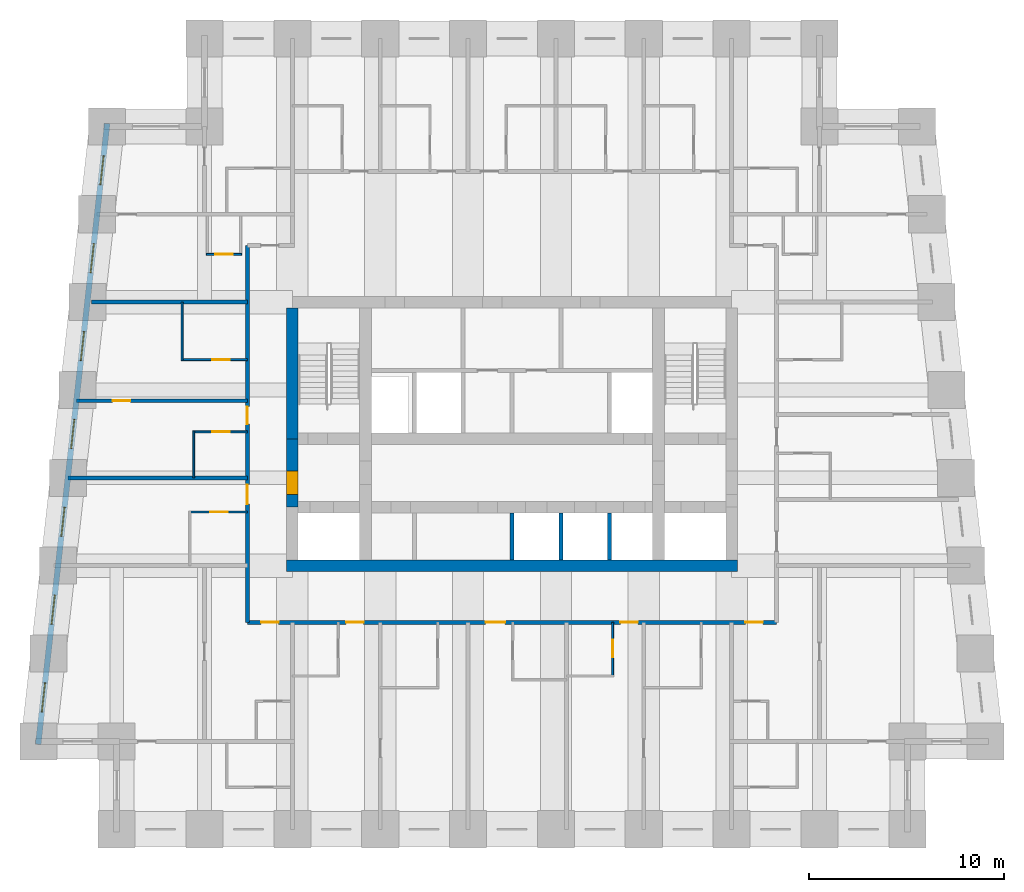
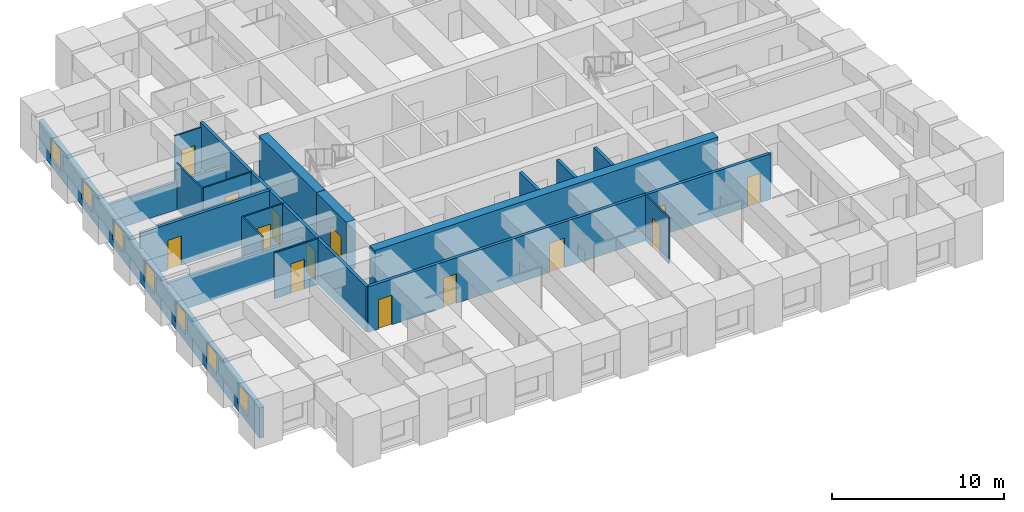
# One storey, part 3 of 8: 19 walls, 14 doors, 7 windows, 21 openings.
"""IFC4 building model written with IfcOpenShell, lengths in metres."""

import ifcopenshell
import ifcopenshell.guid

model = None  # the IFC model being written
_history = None  # IfcOwnerHistory: only IFC2X3 demands one
_inside = {}  # id of a spatial element -> (the spatial element, [elements in it])
_under = {}  # id of a project, library or spatial element -> (it, [spatial elements below it])
_declared = {}  # id of a project -> (the project, [libraries it declares])
_typed = {}  # id of a type object -> (the type object, [elements of that type])
_made_of = {}  # id of a material, layer set ... -> (it, [elements and type objects made of it])


def new_model(schema):
    """Start an empty IFC model of exactly this schema.

    Asked for "IFC4X3", IfcOpenShell would pick the latest addendum, in which some entities
    have other attributes; the version numbers below select the first issue.
    IFC2X3 requires an IfcOwnerHistory on every rooted entity: one is made here for all.
    """
    global model, _history
    if schema == "IFC4X3":
        model = ifcopenshell.file(schema_version=(4, 3, 0, 0))
    else:
        model = ifcopenshell.file(schema=schema)
    _inside.clear()
    _under.clear()
    _declared.clear()
    _typed.clear()
    _made_of.clear()
    _history = None
    if model.schema == "IFC2X3":
        org = make("IfcOrganization", Name="unknown")
        user = make(
            "IfcPersonAndOrganization",
            ThePerson=make("IfcPerson", FamilyName="unknown"),
            TheOrganization=org,
        )
        app = make(
            "IfcApplication",
            ApplicationDeveloper=org,
            Version="unknown",
            ApplicationFullName="unknown",
            ApplicationIdentifier="unknown",
        )
        _history = make(
            "IfcOwnerHistory",
            OwningUser=user,
            OwningApplication=app,
            ChangeAction="ADDED",
            CreationDate=0,
        )
    return model


def make(cls, **values):
    """One entity of the class cls with the attributes given. An attribute that is None is left unset."""
    return model.create_entity(
        cls, **{name: value for name, value in values.items() if value is not None}
    )


def rooted(cls, **values):
    """An entity with a GlobalId (a new one), such as an element, a storey or a relation."""
    return make(cls, GlobalId=ifcopenshell.guid.new(), OwnerHistory=_history, **values)


def si_unit(unit_type, name, prefix=None):
    """IfcSIUnit, for example si_unit("LENGTHUNIT", "METRE", prefix="MILLI")."""
    return make("IfcSIUnit", UnitType=unit_type, Prefix=prefix, Name=name)


def assignment(units):
    """IfcUnitAssignment: the units of a project."""
    return None if units is None else make("IfcUnitAssignment", Units=units)


def point(xyz):
    """IfcCartesianPoint."""
    return None if xyz is None else make("IfcCartesianPoint", Coordinates=xyz)


def direction(xyz):
    """IfcDirection."""
    return None if xyz is None else make("IfcDirection", DirectionRatios=xyz)


def frame(location, z_axis=None, x_axis=None):
    """IfcAxis2Placement3D, a coordinate frame: its origin and axes. An axis left out is left unset."""
    return make(
        "IfcAxis2Placement3D",
        Location=point(location),
        Axis=direction(z_axis),
        RefDirection=direction(x_axis),
    )


def frame_2d(location, x_axis=None):
    """IfcAxis2Placement2D, a coordinate frame in the plane: its origin and x axis."""
    return make(
        "IfcAxis2Placement2D", Location=point(location), RefDirection=direction(x_axis)
    )


def origin():
    """The frame at (0, 0, 0) with its axes left unset."""
    return frame((0.0, 0.0, 0.0))


def place(relative_to, where):
    """IfcLocalPlacement: puts the frame where relative to a parent placement (None: the world)."""
    return make(
        "IfcLocalPlacement", PlacementRelTo=relative_to, RelativePlacement=where
    )


def context(
    kind, dimensions, precision=None, world=None, true_north=None, identifier=None
):
    """IfcGeometricRepresentationContext, for example the 3D "Model" context."""
    return make(
        "IfcGeometricRepresentationContext",
        ContextIdentifier=identifier,
        ContextType=kind,
        CoordinateSpaceDimension=dimensions,
        Precision=precision,
        WorldCoordinateSystem=world,
        TrueNorth=true_north,
    )


def subcontext(parent, identifier, kind, view, scale=None):
    """IfcGeometricRepresentationSubContext, for example "Body" below "Model"."""
    return make(
        "IfcGeometricRepresentationSubContext",
        ContextIdentifier=identifier,
        ContextType=kind,
        ParentContext=parent,
        TargetScale=scale,
        TargetView=view,
    )


def project(units=None, contexts=None):
    """IfcProject with its units and contexts."""
    return rooted(
        "IfcProject",
        Name="project",
        RepresentationContexts=contexts,
        UnitsInContext=assignment(units),
    )


def spatial(cls, under=None, at=None, **own):
    """A site, building, storey or space (cls), placed at a placement, below another one or the project."""
    s = rooted(cls, ObjectPlacement=at, **own)
    if under is not None:
        _under.setdefault(under.id(), (under, []))[1].append(s)
    return s


def profile(cls, at=None, kind="AREA", **sizes):
    """A parametric profile (cls). Its sizes go by their IFC names, for example OverallWidth=200.0."""
    return make(cls, ProfileType=kind, Position=at, **sizes)


def rectangle(**sizes):
    """IfcRectangleProfileDef."""
    return profile("IfcRectangleProfileDef", **sizes)


def extrude(swept, where, along, depth):
    """IfcExtrudedAreaSolid: the profile swept, set in the frame where, extruded along a direction by depth."""
    return make(
        "IfcExtrudedAreaSolid",
        SweptArea=swept,
        Position=where,
        ExtrudedDirection=direction(along),
        Depth=depth,
    )


def shape(context_of_items, identifier, shape_type, items):
    """IfcShapeRepresentation: the items that make up one representation, for example the "Body"."""
    return make(
        "IfcShapeRepresentation",
        ContextOfItems=context_of_items,
        RepresentationIdentifier=identifier,
        RepresentationType=shape_type,
        Items=items,
    )


def material(Name=None, Category=None):
    """IfcMaterial."""
    return make("IfcMaterial", Name=Name, Category=Category)


def layer(
    of_material, thickness, ventilated=None, Name=None, Category=None, Priority=None
):
    """IfcMaterialLayer: one layer of a wall or slab, of a material (None: an air gap)."""
    return make(
        "IfcMaterialLayer",
        Material=of_material,
        LayerThickness=thickness,
        IsVentilated=ventilated,
        Name=Name,
        Category=Category,
        Priority=Priority,
    )


def layer_set(layers, Name=None):
    """IfcMaterialLayerSet."""
    return make("IfcMaterialLayerSet", MaterialLayers=layers, LayerSetName=Name)


def made_of(thing, what):
    """Note that an element or type object is made of a material, layer set ...; save() writes the relation."""
    if what is not None:
        _made_of.setdefault(what.id(), (what, []))[1].append(thing)
    return thing


def type_object(cls, material=None, **own):
    """A type object (cls), such as IfcWallType, which elements share."""
    return made_of(rooted(cls, **own), material)


def element(
    cls,
    number,
    at=None,
    inside=None,
    cuts=None,
    type_object=None,
    material=None,
    context=None,
    identifier="Body",
    shape_type=None,
    held_by="IfcProductDefinitionShape",
    body=None,
    shapes=None,
    **own,
):
    """One element of the class cls, such as IfcWall. Its Tag is "e" and its number.

    at: its placement. inside: the storey or other place that contains it. cuts: it is an
    opening in that element (IfcRelVoidsElement). A single representation is given by context,
    identifier, shape_type and body (its items); several are given by shapes. held_by: the class
    of the entity that holds the representations. save() writes the other relations.
    """
    e = rooted(cls, Tag="e%d" % number, ObjectPlacement=at, **own)
    if body is not None:
        shapes = [shape(context, identifier, shape_type, body)]
    if shapes is not None:
        e.Representation = make(held_by, Representations=shapes)
    if inside is not None:
        _inside.setdefault(inside.id(), (inside, []))[1].append(e)
    if cuts is not None:
        rooted(
            "IfcRelVoidsElement", RelatingBuildingElement=cuts, RelatedOpeningElement=e
        )
    if type_object is not None:
        _typed.setdefault(type_object.id(), (type_object, []))[1].append(e)
    return made_of(e, material)


def fill(opening, filler):
    """IfcRelFillsElement: the door or window that sits in an opening."""
    return rooted(
        "IfcRelFillsElement",
        RelatingOpeningElement=opening,
        RelatedBuildingElement=filler,
    )


def aggregate(whole, parts):
    """IfcRelAggregates: a whole, such as a stair, and the parts it consists of."""
    return rooted("IfcRelAggregates", RelatingObject=whole, RelatedObjects=parts)


def save(model, path):
    """Write the relations noted so far, then the file.

    IfcRelAggregates (storeys below a building ...), IfcRelContainedInSpatialStructure (elements
    in a storey), IfcRelDefinesByType, IfcRelAssociatesMaterial and IfcRelDeclares: one each for
    every whole, place, type object, material and project.
    """
    for whole, parts in _under.values():
        aggregate(whole, parts)
    for where, things in _inside.values():
        rooted(
            "IfcRelContainedInSpatialStructure",
            RelatedElements=things,
            RelatingStructure=where,
        )
    for kind, things in _typed.values():
        rooted("IfcRelDefinesByType", RelatedObjects=things, RelatingType=kind)
    for what, things in _made_of.values():
        rooted("IfcRelAssociatesMaterial", RelatedObjects=things, RelatingMaterial=what)
    for by, libraries in _declared.values():
        rooted("IfcRelDeclares", RelatingContext=by, RelatedDefinitions=libraries)
    model.write(path)


model = new_model("IFC4")

# Units and contexts
model_context = context("Model", 3, precision=1e-05, world=origin(), true_north=direction((0.0, 1.0)))
body_context = subcontext(model_context, "Body", "Model", "MODEL_VIEW")
ifc_project = project(units=[si_unit("LENGTHUNIT", "METRE"), si_unit("AREAUNIT", "SQUARE_METRE"), si_unit("VOLUMEUNIT", "CUBIC_METRE"), si_unit("PLANEANGLEUNIT", "RADIAN"), si_unit("MASSUNIT", "GRAM", prefix="KILO")], contexts=[model_context])

# Site, building, storey
site_placement = place(None, origin())
site = spatial("IfcSite", under=ifc_project, at=site_placement, CompositionType="ELEMENT")
building_placement = place(site_placement, origin())
building = spatial("IfcBuilding", under=site, at=building_placement, Name="Kilele Tower Hotel", CompositionType="ELEMENT")
storey_placement = place(building_placement, frame((0.0, 0.0, 96.89990234375)))
storey = spatial("IfcBuildingStorey", under=building, at=storey_placement, Name="L24", CompositionType="ELEMENT", Elevation=96.89990234375)

# Wall, opening, door
ifc_material_1 = material(Name="Moisture-resistant board")
ifc_layer_1 = layer(ifc_material_1, 0.10009765625)
ifc_layer_set_1 = layer_set([ifc_layer_1], Name="Moisture-resistant board")
wall_type_1 = type_object("IfcWallType", Name="Bathroom partition 100", PredefinedType="PLUMBINGWALL", material=ifc_layer_set_1)
wall_1_placement = place(storey_placement, frame((29.89990234375, 10.60009765625, 0.0), z_axis=(0.0, 0.0, 1.0), x_axis=(0.0, -1.0, 0.0)))
wall_1 = element("IfcWall", 1, at=wall_1_placement, inside=storey, type_object=wall_type_1, Name="Bathroom partition 100 L24", PredefinedType="PLUMBINGWALL", context=body_context, shape_type="SweptSolid", body=[
    extrude(rectangle(XDim=2.800048828125, YDim=0.10009765625, at=frame_2d((1.39990234375, 0.0))), origin(), (0.0, 0.0, 1.0), 3.25),
])
opening_1_placement = place(wall_1_placement, frame((0.89990234375, 0.0, 0.0)))
opening_1 = element("IfcOpeningElement", 2, at=opening_1_placement, cuts=wall_1, Name="Opening D2A", PredefinedType="OPENING", context=body_context, shape_type="SweptSolid", body=[
    extrude(rectangle(XDim=0.89990234375, YDim=2.10009765625, at=frame_2d((0.449951171875, 1.050048828125))), frame((0.0, 0.06005859375, 0.0), z_axis=(0.0, -1.0, 0.0), x_axis=(1.0, 0.0, 0.0)), (0.0, 0.0, 1.0), 0.1201171875),
])
ifc_material_2 = material(Name="Timber door leaf in hardwood frame", Category="wood")
door_type_1 = type_object("IfcDoorType", Name="Bathroom door 900", OperationType="SINGLE_SWING_LEFT", PredefinedType="DOOR", material=ifc_material_2)
door_1_placement = place(opening_1_placement, origin())
door_1 = element("IfcDoor", 3, at=door_1_placement, inside=storey, type_object=door_type_1, Name="Bathroom door 2404B", OperationType="SINGLE_SWING_LEFT", OverallHeight=2.10009765625, OverallWidth=0.89990234375, PredefinedType="DOOR", context=body_context, shape_type="SweptSolid", body=[
    extrude(rectangle(XDim=0.89990234375, YDim=2.10009765625, at=frame_2d((0.449951171875, 1.050048828125))), frame((0.0, 0.02490234375, 0.0), z_axis=(0.0, -1.0, 0.0), x_axis=(1.0, 0.0, 0.0)), (0.0, 0.0, 1.0), 0.050048828125),
])
fill(opening_1, door_1)

wall_2_placement = place(storey_placement, frame((11.199951171875, 16.25, 0.0), z_axis=(0.0, 0.0, 1.0), x_axis=(-1.0, 0.0, 0.0)))
wall_2 = element("IfcWall", 4, at=wall_2_placement, inside=storey, type_object=wall_type_1, Name="Bathroom partition 100 L24", PredefinedType="PLUMBINGWALL", context=body_context, shape_type="SweptSolid", body=[
    extrude(rectangle(XDim=3.0, YDim=0.10009765625, at=frame_2d((1.5, 0.0))), origin(), (0.0, 0.0, 1.0), 3.25),
])
opening_2_placement = place(wall_2_placement, frame((1.89990234375, 0.0, 0.0), z_axis=(0.0, 0.0, 1.0), x_axis=(-1.0, 0.0, 0.0)))
opening_2 = element("IfcOpeningElement", 5, at=opening_2_placement, cuts=wall_2, Name="Opening D2A", PredefinedType="OPENING", context=body_context, shape_type="SweptSolid", body=[
    extrude(rectangle(XDim=0.89990234375, YDim=2.10009765625, at=frame_2d((0.449951171875, 1.050048828125))), frame((0.0, 0.06005859375, 0.0), z_axis=(0.0, -1.0, 0.0), x_axis=(1.0, 0.0, 0.0)), (0.0, 0.0, 1.0), 0.1201171875),
])
door_2_placement = place(opening_2_placement, origin())
door_2 = element("IfcDoor", 6, at=door_2_placement, inside=storey, type_object=door_type_1, Name="Bathroom door 2414B", OperationType="SINGLE_SWING_RIGHT", OverallHeight=2.10009765625, OverallWidth=0.89990234375, PredefinedType="DOOR", context=body_context, shape_type="SweptSolid", body=[
    extrude(rectangle(XDim=0.89990234375, YDim=2.10009765625, at=frame_2d((0.449951171875, 1.050048828125))), frame((0.0, 0.02490234375, 0.0), z_axis=(0.0, -1.0, 0.0), x_axis=(1.0, 0.0, 0.0)), (0.0, 0.0, 1.0), 0.050048828125),
])
fill(opening_2, door_2)

# Wall
wall_3_placement = place(storey_placement, frame((8.449951171875, 18.0, 0.0), z_axis=(0.0, 0.0, 1.0), x_axis=(0.0, 1.0, 0.0)))
element("IfcWall", 7, at=wall_3_placement, inside=storey, type_object=wall_type_1, Name="Bathroom partition 100 L24", PredefinedType="PLUMBINGWALL", context=body_context, shape_type="SweptSolid", body=[
    extrude(rectangle(XDim=2.39990234375, YDim=0.10009765625, at=frame_2d((1.199951171875, 0.0))), origin(), (0.0, 0.0, 1.0), 3.25),
])

# Wall, opening, door
wall_4_placement = place(storey_placement, frame((11.199951171875, 20.35009765625, 0.0), z_axis=(0.0, 0.0, 1.0), x_axis=(-1.0, 0.0, 0.0)))
wall_4 = element("IfcWall", 8, at=wall_4_placement, inside=storey, type_object=wall_type_1, Name="Bathroom partition 100 L24", PredefinedType="PLUMBINGWALL", context=body_context, shape_type="SweptSolid", body=[
    extrude(rectangle(XDim=2.800048828125, YDim=0.10009765625, at=frame_2d((1.39990234375, 0.0))), origin(), (0.0, 0.0, 1.0), 3.25),
])
opening_3_placement = place(wall_4_placement, frame((1.7998046875, 0.0, 0.0), z_axis=(0.0, 0.0, 1.0), x_axis=(-1.0, 0.0, 0.0)))
opening_3 = element("IfcOpeningElement", 9, at=opening_3_placement, cuts=wall_4, Name="Opening D2A", PredefinedType="OPENING", context=body_context, shape_type="SweptSolid", body=[
    extrude(rectangle(XDim=0.89990234375, YDim=2.10009765625, at=frame_2d((0.449951171875, 1.050048828125))), frame((0.0, 0.06005859375, 0.0), z_axis=(0.0, -1.0, 0.0), x_axis=(1.0, 0.0, 0.0)), (0.0, 0.0, 1.0), 0.1201171875),
])
door_3_placement = place(opening_3_placement, origin())
door_3 = element("IfcDoor", 10, at=door_3_placement, inside=storey, type_object=door_type_1, Name="Bathroom door 2415B", OperationType="SINGLE_SWING_RIGHT", OverallHeight=2.10009765625, OverallWidth=0.89990234375, PredefinedType="DOOR", context=body_context, shape_type="SweptSolid", body=[
    extrude(rectangle(XDim=0.89990234375, YDim=2.10009765625, at=frame_2d((0.449951171875, 1.050048828125))), frame((0.0, 0.02490234375, 0.0), z_axis=(0.0, -1.0, 0.0), x_axis=(1.0, 0.0, 0.0)), (0.0, 0.0, 1.0), 0.050048828125),
])
fill(opening_3, door_3)

# Wall
wall_5_placement = place(storey_placement, frame((7.85009765625, 24.0, 0.0), z_axis=(0.0, 0.0, 1.0), x_axis=(0.0, 1.0, 0.0)))
element("IfcWall", 11, at=wall_5_placement, inside=storey, type_object=wall_type_1, Name="Bathroom partition 100 L24", PredefinedType="PLUMBINGWALL", context=body_context, shape_type="SweptSolid", body=[
    extrude(rectangle(XDim=3.0, YDim=0.10009765625, at=frame_2d((1.5, 0.0))), origin(), (0.0, 0.0, 1.0), 3.25),
])

# Wall, opening, door
wall_6_placement = place(storey_placement, frame((11.199951171875, 24.050048828125, 0.0), z_axis=(0.0, 0.0, 1.0), x_axis=(-1.0, 0.0, 0.0)))
wall_6 = element("IfcWall", 12, at=wall_6_placement, inside=storey, type_object=wall_type_1, Name="Bathroom partition 100 L24", PredefinedType="PLUMBINGWALL", context=body_context, shape_type="SweptSolid", body=[
    extrude(rectangle(XDim=3.39990234375, YDim=0.10009765625, at=frame_2d((1.699951171875, 0.0))), origin(), (0.0, 0.0, 1.0), 3.25),
])
opening_4_placement = place(wall_6_placement, frame((0.89990234375, 0.0, 0.0)))
opening_4 = element("IfcOpeningElement", 13, at=opening_4_placement, cuts=wall_6, Name="Opening D2A", PredefinedType="OPENING", context=body_context, shape_type="SweptSolid", body=[
    extrude(rectangle(XDim=0.89990234375, YDim=2.10009765625, at=frame_2d((0.449951171875, 1.050048828125))), frame((0.0, 0.06005859375, 0.0), z_axis=(0.0, -1.0, 0.0), x_axis=(1.0, 0.0, 0.0)), (0.0, 0.0, 1.0), 0.1201171875),
])
door_4_placement = place(opening_4_placement, origin())
door_4 = element("IfcDoor", 14, at=door_4_placement, inside=storey, type_object=door_type_1, Name="Bathroom door 2416B", OperationType="SINGLE_SWING_LEFT", OverallHeight=2.10009765625, OverallWidth=0.89990234375, PredefinedType="DOOR", context=body_context, shape_type="SweptSolid", body=[
    extrude(rectangle(XDim=0.89990234375, YDim=2.10009765625, at=frame_2d((0.449951171875, 1.050048828125))), frame((0.0, 0.02490234375, 0.0), z_axis=(0.0, -1.0, 0.0), x_axis=(1.0, 0.0, 0.0)), (0.0, 0.0, 1.0), 0.050048828125),
])
fill(opening_4, door_4)

wall_7_placement = place(storey_placement, frame((10.89990234375, 29.449951171875, 0.0), z_axis=(0.0, 0.0, 1.0), x_axis=(-1.0, 0.0, 0.0)))
wall_7 = element("IfcWall", 15, at=wall_7_placement, inside=storey, type_object=wall_type_1, Name="Bathroom partition 100 L24", PredefinedType="PLUMBINGWALL", context=body_context, shape_type="SweptSolid", body=[
    extrude(rectangle(XDim=1.7998046875, YDim=0.10009765625, at=frame_2d((0.89990234375, 0.0))), origin(), (0.0, 0.0, 1.0), 3.25),
])
opening_5_placement = place(wall_7_placement, frame((0.449951171875, 0.0, 0.0)))
opening_5 = element("IfcOpeningElement", 16, at=opening_5_placement, cuts=wall_7, Name="Opening D2A", PredefinedType="OPENING", context=body_context, shape_type="SweptSolid", body=[
    extrude(rectangle(XDim=0.89990234375, YDim=2.10009765625, at=frame_2d((0.449951171875, 1.050048828125))), frame((0.0, 0.06005859375, 0.0), z_axis=(0.0, -1.0, 0.0), x_axis=(1.0, 0.0, 0.0)), (0.0, 0.0, 1.0), 0.1201171875),
])
door_5_placement = place(opening_5_placement, origin())
door_5 = element("IfcDoor", 17, at=door_5_placement, inside=storey, type_object=door_type_1, Name="Bathroom door 2426P", OperationType="SINGLE_SWING_LEFT", OverallHeight=2.10009765625, OverallWidth=0.89990234375, PredefinedType="DOOR", context=body_context, shape_type="SweptSolid", body=[
    extrude(rectangle(XDim=0.89990234375, YDim=2.10009765625, at=frame_2d((0.449951171875, 1.050048828125))), frame((0.0, 0.02490234375, 0.0), z_axis=(0.0, -1.0, 0.0), x_axis=(1.0, 0.0, 0.0)), (0.0, 0.0, 1.0), 0.050048828125),
])
fill(opening_5, door_5)

# Walls
ifc_material_3 = material(Name="Concrete C60/75", Category="concrete")
ifc_layer_2 = layer(ifc_material_3, 0.60009765625)
ifc_layer_set_2 = layer_set([ifc_layer_2], Name="Concrete C60/75")
wall_type_2 = type_object("IfcWallType", Name="Core wall 600 C60/75", PredefinedType="SHEAR", material=ifc_layer_set_2)
wall_8_placement = place(storey_placement, frame((13.199951171875, 13.5, 0.0), z_axis=(0.0, 0.0, 1.0), x_axis=(1.0, 0.0, 0.0)))
element("IfcWall", 18, at=wall_8_placement, inside=storey, type_object=wall_type_2, Name="Core wall S L24", PredefinedType="SHEAR", context=body_context, shape_type="SweptSolid", body=[
    extrude(rectangle(XDim=23.10009765625, YDim=0.60009765625, at=frame_2d((11.550048828125, 0.0))), origin(), (0.0, 0.0, 1.0), 3.5),
])
wall_9_placement = place(storey_placement, frame((13.5, 26.699951171875, 0.0), z_axis=(0.0, 0.0, 1.0), x_axis=(0.0, -1.0, 0.0)))
element("IfcWall", 19, at=wall_9_placement, inside=storey, type_object=wall_type_2, Name="Core wall W1 L24", PredefinedType="SHEAR", context=body_context, shape_type="SweptSolid", body=[
    extrude(rectangle(XDim=6.699951171875, YDim=0.60009765625, at=frame_2d((3.35009765625, 0.0))), origin(), (0.0, 0.0, 1.0), 3.5),
])

# Wall, opening, door
wall_10_placement = place(storey_placement, frame((13.5, 20.0, 0.0), z_axis=(0.0, 0.0, 1.0), x_axis=(0.0, -1.0, 0.0)))
wall_10 = element("IfcWall", 20, at=wall_10_placement, inside=storey, type_object=wall_type_2, Name="Core wall W2 L24", PredefinedType="SHEAR", context=body_context, shape_type="SweptSolid", body=[
    extrude(rectangle(XDim=3.5, YDim=0.60009765625, at=frame_2d((1.75, 0.0))), origin(), (0.0, 0.0, 1.0), 3.5),
])
opening_6_placement = place(wall_10_placement, frame((1.64990234375, 0.0, 0.0)))
opening_6 = element("IfcOpeningElement", 21, at=opening_6_placement, cuts=wall_10, Name="Opening D4", PredefinedType="OPENING", context=body_context, shape_type="SweptSolid", body=[
    extrude(rectangle(XDim=1.199951171875, YDim=2.10009765625, at=frame_2d((0.60009765625, 1.050048828125))), frame((0.0, 0.31005859375, 0.0), z_axis=(0.0, -1.0, 0.0), x_axis=(1.0, 0.0, 0.0)), (0.0, 0.0, 1.0), 0.6201171875),
])
ifc_material_4 = material(Name="Timber door leaf in hardwood frame", Category="wood")
door_type_2 = type_object("IfcDoorType", Name="Firefighting lobby door 1200", OperationType="SINGLE_SWING_LEFT", PredefinedType="DOOR", material=ifc_material_4)
door_6_placement = place(opening_6_placement, origin())
door_6 = element("IfcDoor", 22, at=door_6_placement, inside=storey, type_object=door_type_2, Name="Lobby door L24", OperationType="SINGLE_SWING_RIGHT", OverallHeight=2.10009765625, OverallWidth=1.199951171875, PredefinedType="DOOR", context=body_context, shape_type="SweptSolid", body=[
    extrude(rectangle(XDim=1.199951171875, YDim=2.10009765625, at=frame_2d((0.60009765625, 1.050048828125))), frame((0.0, 0.2998046875, 0.0), z_axis=(0.0, -1.0, 0.0), x_axis=(1.0, 0.0, 0.0)), (0.0, 0.0, 1.0), 0.599609375),
])
fill(opening_6, door_6)

# Wall, openings, doors
ifc_material_5 = material(Name="Blockwork, plastered both sides", Category="masonry")
ifc_layer_3 = layer(ifc_material_5, 0.199951171875)
ifc_layer_set_3 = layer_set([ifc_layer_3], Name="Blockwork, plastered both sides")
wall_type_3 = type_object("IfcWallType", Name="Corridor wall 200", PredefinedType="PARTITIONING", material=ifc_layer_set_3)
wall_11_placement = place(storey_placement, frame((11.199951171875, 10.60009765625, 0.0), z_axis=(0.0, 0.0, 1.0), x_axis=(1.0, 0.0, 0.0)))
wall_11 = element("IfcWall", 23, at=wall_11_placement, inside=storey, type_object=wall_type_3, Name="Corridor wall 200 L24", PredefinedType="PARTITIONING", context=body_context, shape_type="SweptSolid", body=[
    extrude(rectangle(XDim=27.10009765625, YDim=0.199951171875, at=frame_2d((13.550048828125, 0.0))), origin(), (0.0, 0.0, 1.0), 3.25),
])
opening_7_placement = place(wall_11_placement, frame((5.949951171875, 0.0, 0.0), z_axis=(0.0, 0.0, 1.0), x_axis=(-1.0, 0.0, 0.0)))
opening_7 = element("IfcOpeningElement", 24, at=opening_7_placement, cuts=wall_11, Name="Opening D1", PredefinedType="OPENING", context=body_context, shape_type="SweptSolid", body=[
    extrude(rectangle(XDim=0.89990234375, YDim=2.10009765625, at=frame_2d((0.449951171875, 1.050048828125))), frame((0.0, 0.10986328125, 0.0), z_axis=(0.0, -1.0, 0.0), x_axis=(1.0, 0.0, 0.0)), (0.0, 0.0, 1.0), 0.219970703125),
])
opening_8_placement = place(wall_11_placement, frame((13.199951171875, 0.0, 0.0), z_axis=(0.0, 0.0, 1.0), x_axis=(-1.0, 0.0, 0.0)))
opening_8 = element("IfcOpeningElement", 25, at=opening_8_placement, cuts=wall_11, Name="Opening D1A", PredefinedType="OPENING", context=body_context, shape_type="SweptSolid", body=[
    extrude(rectangle(XDim=1.0, YDim=2.10009765625, at=frame_2d((0.5, 1.050048828125))), frame((0.0, 0.10986328125, 0.0), z_axis=(0.0, -1.0, 0.0), x_axis=(1.0, 0.0, 0.0)), (0.0, 0.0, 1.0), 0.219970703125),
])
opening_9_placement = place(wall_11_placement, frame((20.0, 0.0, 0.0), z_axis=(0.0, 0.0, 1.0), x_axis=(-1.0, 0.0, 0.0)))
opening_9 = element("IfcOpeningElement", 26, at=opening_9_placement, cuts=wall_11, Name="Opening D1", PredefinedType="OPENING", context=body_context, shape_type="SweptSolid", body=[
    extrude(rectangle(XDim=0.89990234375, YDim=2.10009765625, at=frame_2d((0.449951171875, 1.050048828125))), frame((0.0, 0.10986328125, 0.0), z_axis=(0.0, -1.0, 0.0), x_axis=(1.0, 0.0, 0.0)), (0.0, 0.0, 1.0), 0.219970703125),
])
opening_10_placement = place(wall_11_placement, frame((1.599853515625, 0.0, 0.0), z_axis=(0.0, 0.0, 1.0), x_axis=(-1.0, 0.0, 0.0)))
opening_10 = element("IfcOpeningElement", 27, at=opening_10_placement, cuts=wall_11, Name="Opening D1", PredefinedType="OPENING", context=body_context, shape_type="SweptSolid", body=[
    extrude(rectangle(XDim=0.89990234375, YDim=2.10009765625, at=frame_2d((0.449951171875, 1.050048828125))), frame((0.0, 0.10986328125, 0.0), z_axis=(0.0, -1.0, 0.0), x_axis=(1.0, 0.0, 0.0)), (0.0, 0.0, 1.0), 0.219970703125),
])
opening_11_placement = place(wall_11_placement, frame((26.39990234375, 0.0, 0.0), z_axis=(0.0, 0.0, 1.0), x_axis=(-1.0, 0.0, 0.0)))
opening_11 = element("IfcOpeningElement", 28, at=opening_11_placement, cuts=wall_11, Name="Opening D1", PredefinedType="OPENING", context=body_context, shape_type="SweptSolid", body=[
    extrude(rectangle(XDim=0.89990234375, YDim=2.10009765625, at=frame_2d((0.449951171875, 1.050048828125))), frame((0.0, 0.10986328125, 0.0), z_axis=(0.0, -1.0, 0.0), x_axis=(1.0, 0.0, 0.0)), (0.0, 0.0, 1.0), 0.219970703125),
])
ifc_material_6 = material(Name="Timber door leaf in hardwood frame", Category="wood")
door_type_3 = type_object("IfcDoorType", Name="Guest room entrance door 1000", OperationType="SINGLE_SWING_LEFT", PredefinedType="DOOR", material=ifc_material_6)
door_7_placement = place(opening_8_placement, origin())
door_7 = element("IfcDoor", 29, at=door_7_placement, inside=storey, type_object=door_type_3, Name="Room entrance 2403", OperationType="SINGLE_SWING_LEFT", OverallHeight=2.10009765625, OverallWidth=1.0, PredefinedType="DOOR", context=body_context, shape_type="SweptSolid", body=[
    extrude(rectangle(XDim=1.0, YDim=2.10009765625, at=frame_2d((0.5, 1.050048828125))), frame((0.0, 0.02490234375, 0.0), z_axis=(0.0, -1.0, 0.0), x_axis=(1.0, 0.0, 0.0)), (0.0, 0.0, 1.0), 0.050048828125),
])
fill(opening_8, door_7)
ifc_material_7 = material(Name="Timber door leaf in hardwood frame", Category="wood")
door_type_4 = type_object("IfcDoorType", Name="Guest room entrance door 900", OperationType="SINGLE_SWING_LEFT", PredefinedType="DOOR", material=ifc_material_7)
door_8_placement = place(opening_7_placement, origin())
door_8 = element("IfcDoor", 30, at=door_8_placement, inside=storey, type_object=door_type_4, Name="Room entrance 2401", OperationType="SINGLE_SWING_RIGHT", OverallHeight=2.10009765625, OverallWidth=0.89990234375, PredefinedType="DOOR", context=body_context, shape_type="SweptSolid", body=[
    extrude(rectangle(XDim=0.89990234375, YDim=2.10009765625, at=frame_2d((0.449951171875, 1.050048828125))), frame((0.0, 0.02490234375, 0.0), z_axis=(0.0, -1.0, 0.0), x_axis=(1.0, 0.0, 0.0)), (0.0, 0.0, 1.0), 0.050048828125),
])
fill(opening_7, door_8)
door_9_placement = place(opening_9_placement, origin())
door_9 = element("IfcDoor", 31, at=door_9_placement, inside=storey, type_object=door_type_4, Name="Room entrance 2404", OperationType="SINGLE_SWING_LEFT", OverallHeight=2.10009765625, OverallWidth=0.89990234375, PredefinedType="DOOR", context=body_context, shape_type="SweptSolid", body=[
    extrude(rectangle(XDim=0.89990234375, YDim=2.10009765625, at=frame_2d((0.449951171875, 1.050048828125))), frame((0.0, 0.02490234375, 0.0), z_axis=(0.0, -1.0, 0.0), x_axis=(1.0, 0.0, 0.0)), (0.0, 0.0, 1.0), 0.050048828125),
])
fill(opening_9, door_9)
door_10_placement = place(opening_10_placement, origin())
door_10 = element("IfcDoor", 32, at=door_10_placement, inside=storey, type_object=door_type_4, Name="Room entrance 2417", OperationType="SINGLE_SWING_LEFT", OverallHeight=2.10009765625, OverallWidth=0.89990234375, PredefinedType="DOOR", context=body_context, shape_type="SweptSolid", body=[
    extrude(rectangle(XDim=0.89990234375, YDim=2.10009765625, at=frame_2d((0.449951171875, 1.050048828125))), frame((0.0, 0.02490234375, 0.0), z_axis=(0.0, -1.0, 0.0), x_axis=(1.0, 0.0, 0.0)), (0.0, 0.0, 1.0), 0.050048828125),
])
fill(opening_10, door_10)
door_11_placement = place(opening_11_placement, origin())
door_11 = element("IfcDoor", 33, at=door_11_placement, inside=storey, type_object=door_type_4, Name="Room entrance 2420", OperationType="SINGLE_SWING_RIGHT", OverallHeight=2.10009765625, OverallWidth=0.89990234375, PredefinedType="DOOR", context=body_context, shape_type="SweptSolid", body=[
    extrude(rectangle(XDim=0.89990234375, YDim=2.10009765625, at=frame_2d((0.449951171875, 1.050048828125))), frame((0.0, 0.02490234375, 0.0), z_axis=(0.0, -1.0, 0.0), x_axis=(1.0, 0.0, 0.0)), (0.0, 0.0, 1.0), 0.050048828125),
])
fill(opening_11, door_11)

wall_12_placement = place(storey_placement, frame((11.199951171875, 10.60009765625, 0.0), z_axis=(0.0, 0.0, 1.0), x_axis=(0.0, 1.0, 0.0)))
wall_12 = element("IfcWall", 34, at=wall_12_placement, inside=storey, type_object=wall_type_3, Name="Corridor wall 200 L24", PredefinedType="PARTITIONING", context=body_context, shape_type="SweptSolid", body=[
    extrude(rectangle(XDim=19.2998046875, YDim=0.199951171875, at=frame_2d((9.64990234375, 0.0))), origin(), (0.0, 0.0, 1.0), 3.25),
])
opening_12_placement = place(wall_12_placement, frame((6.050048828125, 0.0, 0.0)))
opening_12 = element("IfcOpeningElement", 35, at=opening_12_placement, cuts=wall_12, Name="Opening D8", PredefinedType="OPENING", context=body_context, shape_type="SweptSolid", body=[
    extrude(rectangle(XDim=1.0, YDim=2.10009765625, at=frame_2d((0.5, 1.050048828125))), frame((0.0, 0.10986328125, 0.0), z_axis=(0.0, -1.0, 0.0), x_axis=(1.0, 0.0, 0.0)), (0.0, 0.0, 1.0), 0.219970703125),
])
opening_13_placement = place(wall_12_placement, frame((10.14990234375, 0.0, 0.0)))
opening_13 = element("IfcOpeningElement", 36, at=opening_13_placement, cuts=wall_12, Name="Opening D1", PredefinedType="OPENING", context=body_context, shape_type="SweptSolid", body=[
    extrude(rectangle(XDim=0.89990234375, YDim=2.10009765625, at=frame_2d((0.449951171875, 1.050048828125))), frame((0.0, 0.10986328125, 0.0), z_axis=(0.0, -1.0, 0.0), x_axis=(1.0, 0.0, 0.0)), (0.0, 0.0, 1.0), 0.219970703125),
])
ifc_material_8 = material(Name="Timber door leaf in hardwood frame", Category="wood")
door_type_5 = type_object("IfcDoorType", Name="Door 1000", OperationType="SINGLE_SWING_LEFT", PredefinedType="DOOR", material=ifc_material_8)
door_12_placement = place(opening_12_placement, origin())
door_12 = element("IfcDoor", 37, at=door_12_placement, inside=storey, type_object=door_type_5, Name="Room entrance 2414", OperationType="SINGLE_SWING_LEFT", OverallHeight=2.10009765625, OverallWidth=1.0, PredefinedType="DOOR", context=body_context, shape_type="SweptSolid", body=[
    extrude(rectangle(XDim=1.0, YDim=2.10009765625, at=frame_2d((0.5, 1.050048828125))), frame((0.0, 0.02490234375, 0.0), z_axis=(0.0, -1.0, 0.0), x_axis=(1.0, 0.0, 0.0)), (0.0, 0.0, 1.0), 0.050048828125),
])
fill(opening_12, door_12)
door_13_placement = place(opening_13_placement, origin())
door_13 = element("IfcDoor", 38, at=door_13_placement, inside=storey, type_object=door_type_4, Name="Room entrance 2415", OperationType="SINGLE_SWING_RIGHT", OverallHeight=2.10009765625, OverallWidth=0.89990234375, PredefinedType="DOOR", context=body_context, shape_type="SweptSolid", body=[
    extrude(rectangle(XDim=0.89990234375, YDim=2.10009765625, at=frame_2d((0.449951171875, 1.050048828125))), frame((0.0, 0.02490234375, 0.0), z_axis=(0.0, -1.0, 0.0), x_axis=(1.0, 0.0, 0.0)), (0.0, 0.0, 1.0), 0.050048828125),
])
fill(opening_13, door_13)

# Wall
ifc_material_9 = material(Name="Blockwork, plastered both sides", Category="masonry")
ifc_layer_4 = layer(ifc_material_9, 0.199951171875)
ifc_layer_set_4 = layer_set([ifc_layer_4], Name="Blockwork, plastered both sides")
wall_type_4 = type_object("IfcWallType", Name="Party wall 200", PredefinedType="PARTITIONING", material=ifc_layer_set_4)
wall_13_placement = place(storey_placement, frame((11.199951171875, 18.0, 0.0), z_axis=(0.0, 0.0, 1.0), x_axis=(-1.0, 0.0, 0.0)))
element("IfcWall", 39, at=wall_13_placement, inside=storey, type_object=wall_type_4, Name="Party wall 200 L24", PredefinedType="PARTITIONING", context=body_context, shape_type="SweptSolid", body=[
    extrude(rectangle(XDim=9.198974609375, YDim=0.199951171875, at=frame_2d((4.599609375, 0.0))), origin(), (0.0, 0.0, 1.0), 2.25),
])

# Wall, opening, door
wall_14_placement = place(storey_placement, frame((11.199951171875, 21.949951171875, 0.0), z_axis=(0.0, 0.0, 1.0), x_axis=(-1.0, 0.0, 0.0)))
wall_14 = element("IfcWall", 40, at=wall_14_placement, inside=storey, type_object=wall_type_4, Name="Party wall 200 L24", PredefinedType="PARTITIONING", context=body_context, shape_type="SweptSolid", body=[
    extrude(rectangle(XDim=8.76025390625, YDim=0.199951171875, at=frame_2d((4.380126953125, 0.0))), origin(), (0.0, 0.0, 1.0), 3.25),
])
opening_14_placement = place(wall_14_placement, frame((6.89990234375, 0.0, 0.0), z_axis=(0.0, 0.0, 1.0), x_axis=(-1.0, 0.0, 0.0)))
opening_14 = element("IfcOpeningElement", 41, at=opening_14_placement, cuts=wall_14, Name="Opening D3", PredefinedType="OPENING", context=body_context, shape_type="SweptSolid", body=[
    extrude(rectangle(XDim=0.89990234375, YDim=2.10009765625, at=frame_2d((0.449951171875, 1.050048828125))), frame((0.0, 0.10986328125, 0.0), z_axis=(0.0, -1.0, 0.0), x_axis=(1.0, 0.0, 0.0)), (0.0, 0.0, 1.0), 0.219970703125),
])
ifc_material_10 = material(Name="Timber door leaf in hardwood frame", Category="wood")
door_type_6 = type_object("IfcDoorType", Name="Suite internal door 900", OperationType="SINGLE_SWING_LEFT", PredefinedType="DOOR", material=ifc_material_10)
door_14_placement = place(opening_14_placement, origin())
door_14 = element("IfcDoor", 42, at=door_14_placement, inside=storey, type_object=door_type_6, Name="Suite door 2416", OperationType="SINGLE_SWING_LEFT", OverallHeight=2.10009765625, OverallWidth=0.89990234375, PredefinedType="DOOR", context=body_context, shape_type="SweptSolid", body=[
    extrude(rectangle(XDim=0.89990234375, YDim=2.10009765625, at=frame_2d((0.449951171875, 1.050048828125))), frame((0.0, 0.02490234375, 0.0), z_axis=(0.0, -1.0, 0.0), x_axis=(1.0, 0.0, 0.0)), (0.0, 0.0, 1.0), 0.050048828125),
])
fill(opening_14, door_14)

# Wall
wall_15_placement = place(storey_placement, frame((11.199951171875, 27.0, 0.0), z_axis=(0.0, 0.0, 1.0), x_axis=(-1.0, 0.0, 0.0)))
element("IfcWall", 43, at=wall_15_placement, inside=storey, type_object=wall_type_4, Name="Party wall 200 L24", PredefinedType="PARTITIONING", context=body_context, shape_type="SweptSolid", body=[
    extrude(rectangle(XDim=7.976806640625, YDim=0.199951171875, at=frame_2d((3.98828125, 0.0))), origin(), (0.0, 0.0, 1.0), 1.9501953125),
])

# Wall, openings, windows
ifc_material_11 = material(Name="Concrete C40/50 precast", Category="concrete")
ifc_layer_5 = layer(ifc_material_11, 0.260009765625, Name="Precast backing", Category="LoadBearing")
ifc_material_12 = material(Name="Reconstituted stone finish", Category="masonry")
ifc_layer_6 = layer(ifc_material_12, 0.0400390625, Name="Face mix", Category="Finish")
ifc_layer_set_5 = layer_set([ifc_layer_5, ifc_layer_6], Name="Precast concrete C40/50, reconstituted stone finish")
wall_type_5 = type_object("IfcWallType", Name="Precast stone facade wall 300", PredefinedType="STANDARD", material=ifc_layer_set_5)
wall_16_placement = place(storey_placement, frame((4.0166015625, 36.149169921875, 0.0), z_axis=(0.0, 0.0, 1.0), x_axis=(-0.110433201132, -0.993883548555, 0.0)))
wall_16 = element("IfcWall", 44, at=wall_16_placement, inside=storey, type_object=wall_type_5, Name="Facade wall L24 edge 12", PredefinedType="STANDARD", context=body_context, shape_type="SweptSolid", body=[
    extrude(rectangle(XDim=31.994140625, YDim=0.300048828125, at=frame_2d((15.9970703125, 0.0))), origin(), (0.0, 0.0, 1.0), 2.150146484375),
])
opening_15_placement = place(wall_16_placement, frame((1.6640625, 0.0, 0.5)))
opening_15 = element("IfcOpeningElement", 45, at=opening_15_placement, cuts=wall_16, Name="Opening W2", PredefinedType="OPENING", context=body_context, shape_type="SweptSolid", body=[
    extrude(rectangle(XDim=1.5, YDim=1.5, at=frame_2d((0.75, 0.75))), frame((0.0, 0.159912109375, 0.0), z_axis=(0.0, -1.0, 0.0), x_axis=(1.0, 0.0, 0.0)), (0.0, 0.0, 1.0), 0.320068359375),
])
opening_16_placement = place(wall_16_placement, frame((6.19189453125, 0.0, 0.5)))
opening_16 = element("IfcOpeningElement", 46, at=opening_16_placement, cuts=wall_16, Name="Opening W2", PredefinedType="OPENING", context=body_context, shape_type="SweptSolid", body=[
    extrude(rectangle(XDim=1.5, YDim=1.5, at=frame_2d((0.75, 0.75))), frame((0.0, 0.159912109375, 0.0), z_axis=(0.0, -1.0, 0.0), x_axis=(1.0, 0.0, 0.0)), (0.0, 0.0, 1.0), 0.320068359375),
])
opening_17_placement = place(wall_16_placement, frame((10.718994140625, 0.0, 0.5)))
opening_17 = element("IfcOpeningElement", 47, at=opening_17_placement, cuts=wall_16, Name="Opening W2", PredefinedType="OPENING", context=body_context, shape_type="SweptSolid", body=[
    extrude(rectangle(XDim=1.5, YDim=1.5, at=frame_2d((0.75, 0.75))), frame((0.0, 0.159912109375, 0.0), z_axis=(0.0, -1.0, 0.0), x_axis=(1.0, 0.0, 0.0)), (0.0, 0.0, 1.0), 0.320068359375),
])
opening_18_placement = place(wall_16_placement, frame((15.2470703125, 0.0, 0.5)))
opening_18 = element("IfcOpeningElement", 48, at=opening_18_placement, cuts=wall_16, Name="Opening W2", PredefinedType="OPENING", context=body_context, shape_type="SweptSolid", body=[
    extrude(rectangle(XDim=1.5, YDim=1.5, at=frame_2d((0.75, 0.75))), frame((0.0, 0.159912109375, 0.0), z_axis=(0.0, -1.0, 0.0), x_axis=(1.0, 0.0, 0.0)), (0.0, 0.0, 1.0), 0.320068359375),
])
opening_19_placement = place(wall_16_placement, frame((19.77490234375, 0.0, 0.5)))
opening_19 = element("IfcOpeningElement", 49, at=opening_19_placement, cuts=wall_16, Name="Opening W2", PredefinedType="OPENING", context=body_context, shape_type="SweptSolid", body=[
    extrude(rectangle(XDim=1.5, YDim=1.5, at=frame_2d((0.75, 0.75))), frame((0.0, 0.159912109375, 0.0), z_axis=(0.0, -1.0, 0.0), x_axis=(1.0, 0.0, 0.0)), (0.0, 0.0, 1.0), 0.320068359375),
])
opening_20_placement = place(wall_16_placement, frame((24.302001953125, 0.0, 0.5)))
opening_20 = element("IfcOpeningElement", 50, at=opening_20_placement, cuts=wall_16, Name="Opening W2", PredefinedType="OPENING", context=body_context, shape_type="SweptSolid", body=[
    extrude(rectangle(XDim=1.5, YDim=1.5, at=frame_2d((0.75, 0.75))), frame((0.0, 0.159912109375, 0.0), z_axis=(0.0, -1.0, 0.0), x_axis=(1.0, 0.0, 0.0)), (0.0, 0.0, 1.0), 0.320068359375),
])
opening_21_placement = place(wall_16_placement, frame((28.830078125, 0.0, 0.5)))
opening_21 = element("IfcOpeningElement", 51, at=opening_21_placement, cuts=wall_16, Name="Opening W2", PredefinedType="OPENING", context=body_context, shape_type="SweptSolid", body=[
    extrude(rectangle(XDim=1.5, YDim=1.5, at=frame_2d((0.75, 0.75))), frame((0.0, 0.159912109375, 0.0), z_axis=(0.0, -1.0, 0.0), x_axis=(1.0, 0.0, 0.0)), (0.0, 0.0, 1.0), 0.320068359375),
])
ifc_material_13 = material(Name="Aluminium frame, clear double glazing", Category="aluminium")
window_type = type_object("IfcWindowType", Name="Window W2 1500 x 1500", PartitioningType="SINGLE_PANEL", PredefinedType="WINDOW", material=ifc_material_13)
window_1_placement = place(opening_15_placement, origin())
window_1 = element("IfcWindow", 52, at=window_1_placement, inside=storey, type_object=window_type, Name="Window L24", OverallHeight=1.5, OverallWidth=1.5, PartitioningType="SINGLE_PANEL", PredefinedType="WINDOW", context=body_context, shape_type="SweptSolid", body=[
    extrude(rectangle(XDim=1.5, YDim=1.5, at=frame_2d((0.75, 0.75))), frame((0.0, 0.030029296875, 0.0), z_axis=(0.0, -1.0, 0.0), x_axis=(1.0, 0.0, 0.0)), (0.0, 0.0, 1.0), 0.06005859375),
])
fill(opening_15, window_1)
window_2_placement = place(opening_16_placement, origin())
window_2 = element("IfcWindow", 53, at=window_2_placement, inside=storey, type_object=window_type, Name="Window L24", OverallHeight=1.5, OverallWidth=1.5, PartitioningType="SINGLE_PANEL", PredefinedType="WINDOW", context=body_context, shape_type="SweptSolid", body=[
    extrude(rectangle(XDim=1.5, YDim=1.5, at=frame_2d((0.75, 0.75))), frame((0.0, 0.030029296875, 0.0), z_axis=(0.0, -1.0, 0.0), x_axis=(1.0, 0.0, 0.0)), (0.0, 0.0, 1.0), 0.06005859375),
])
fill(opening_16, window_2)
window_3_placement = place(opening_17_placement, origin())
window_3 = element("IfcWindow", 54, at=window_3_placement, inside=storey, type_object=window_type, Name="Window L24", OverallHeight=1.5, OverallWidth=1.5, PartitioningType="SINGLE_PANEL", PredefinedType="WINDOW", context=body_context, shape_type="SweptSolid", body=[
    extrude(rectangle(XDim=1.5, YDim=1.5, at=frame_2d((0.75, 0.75))), frame((0.0, 0.030029296875, 0.0), z_axis=(0.0, -1.0, 0.0), x_axis=(1.0, 0.0, 0.0)), (0.0, 0.0, 1.0), 0.06005859375),
])
fill(opening_17, window_3)
window_4_placement = place(opening_18_placement, origin())
window_4 = element("IfcWindow", 55, at=window_4_placement, inside=storey, type_object=window_type, Name="Window L24", OverallHeight=1.5, OverallWidth=1.5, PartitioningType="SINGLE_PANEL", PredefinedType="WINDOW", context=body_context, shape_type="SweptSolid", body=[
    extrude(rectangle(XDim=1.5, YDim=1.5, at=frame_2d((0.75, 0.75))), frame((0.0, 0.030029296875, 0.0), z_axis=(0.0, -1.0, 0.0), x_axis=(1.0, 0.0, 0.0)), (0.0, 0.0, 1.0), 0.06005859375),
])
fill(opening_18, window_4)
window_5_placement = place(opening_19_placement, origin())
window_5 = element("IfcWindow", 56, at=window_5_placement, inside=storey, type_object=window_type, Name="Window L24", OverallHeight=1.5, OverallWidth=1.5, PartitioningType="SINGLE_PANEL", PredefinedType="WINDOW", context=body_context, shape_type="SweptSolid", body=[
    extrude(rectangle(XDim=1.5, YDim=1.5, at=frame_2d((0.75, 0.75))), frame((0.0, 0.030029296875, 0.0), z_axis=(0.0, -1.0, 0.0), x_axis=(1.0, 0.0, 0.0)), (0.0, 0.0, 1.0), 0.06005859375),
])
fill(opening_19, window_5)
window_6_placement = place(opening_20_placement, origin())
window_6 = element("IfcWindow", 57, at=window_6_placement, inside=storey, type_object=window_type, Name="Window L24", OverallHeight=1.5, OverallWidth=1.5, PartitioningType="SINGLE_PANEL", PredefinedType="WINDOW", context=body_context, shape_type="SweptSolid", body=[
    extrude(rectangle(XDim=1.5, YDim=1.5, at=frame_2d((0.75, 0.75))), frame((0.0, 0.030029296875, 0.0), z_axis=(0.0, -1.0, 0.0), x_axis=(1.0, 0.0, 0.0)), (0.0, 0.0, 1.0), 0.06005859375),
])
fill(opening_20, window_6)
window_7_placement = place(opening_21_placement, origin())
window_7 = element("IfcWindow", 58, at=window_7_placement, inside=storey, type_object=window_type, Name="Window L24", OverallHeight=1.5, OverallWidth=1.5, PartitioningType="SINGLE_PANEL", PredefinedType="WINDOW", context=body_context, shape_type="SweptSolid", body=[
    extrude(rectangle(XDim=1.5, YDim=1.5, at=frame_2d((0.75, 0.75))), frame((0.0, 0.030029296875, 0.0), z_axis=(0.0, -1.0, 0.0), x_axis=(1.0, 0.0, 0.0)), (0.0, 0.0, 1.0), 0.06005859375),
])
fill(opening_21, window_7)

# Walls
ifc_material_14 = material(Name="Blockwork, fire-rated", Category="masonry")
ifc_layer_7 = layer(ifc_material_14, 0.199951171875)
ifc_layer_set_6 = layer_set([ifc_layer_7], Name="Blockwork, fire-rated")
wall_type_6 = type_object("IfcWallType", Name="Shaft wall 200", PredefinedType="PARTITIONING", material=ifc_layer_set_6)
for number, where, z_axis, x_axis, name in (
    (59, (24.75, 13.800048828125, 0.0), (0.0, 0.0, 1.0), (0.0, 1.0, 0.0), "Shaft wall 200 L24"),
    (60, (27.25, 13.800048828125, 0.0), (0.0, 0.0, 1.0), (0.0, 1.0, 0.0), "Shaft wall 200 L24"),
    (61, (29.75, 13.800048828125, 0.0), (0.0, 0.0, 1.0), (0.0, 1.0, 0.0), "Shaft wall 200 L24"),
):
    element("IfcWall", number, at=place(storey_placement, frame(where, z_axis=z_axis, x_axis=x_axis)), inside=storey, type_object=wall_type_6, Name=name, PredefinedType="PARTITIONING", context=body_context, shape_type="SweptSolid", body=[
        extrude(rectangle(XDim=2.39990234375, YDim=0.199951171875, at=frame_2d((1.199951171875, 0.0))), origin(), (0.0, 0.0, 1.0), 3.25),
    ])

save(model, "model.ifc")
